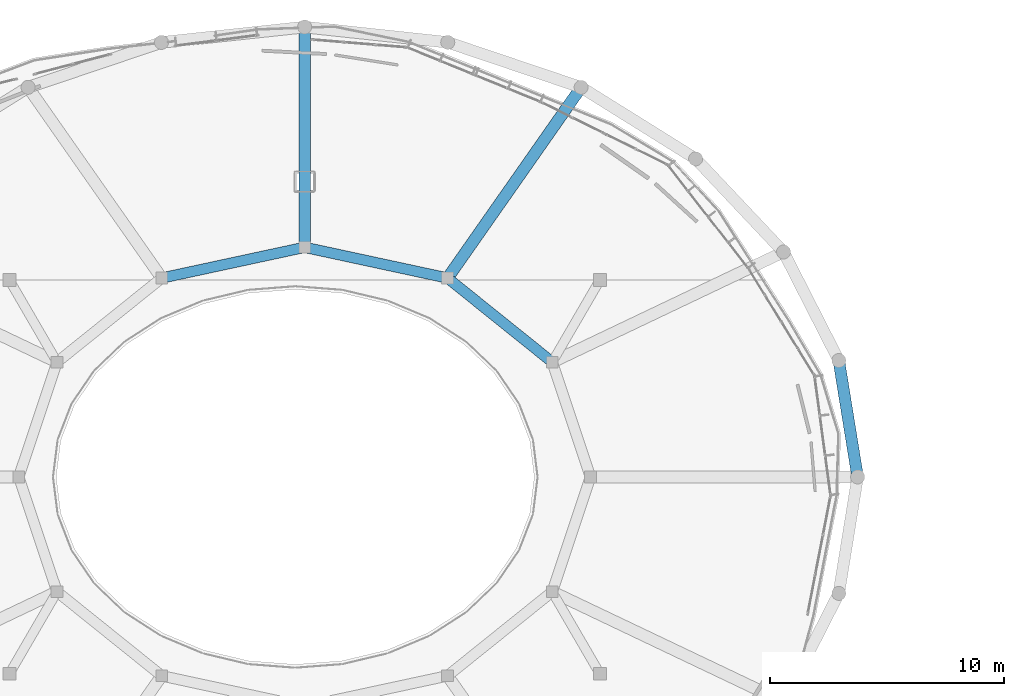
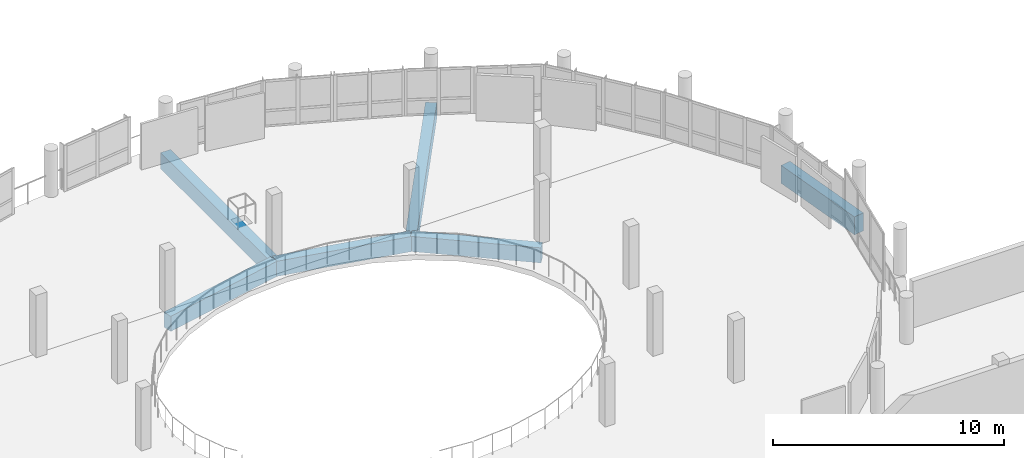
# One storey, part 20 of 43: 6 beams.
"""IFC4 building model written with IfcOpenShell, lengths in metres."""

from ifc_helpers import new_model, si_unit, derived_unit, direction, frame, origin, origin_2d, place, context, subcontext, project, spatial, rectangle, extrude, material, material_profile, profile_set, type_object, element, save


model = new_model("IFC4")

# Units and contexts
model_context = context("Model", 3, precision=1e-05, world=origin(), true_north=direction((0.0, 1.0)))
body_context = subcontext(model_context, "Body", "Model", "MODEL_VIEW")
ifc_project = project(units=[si_unit("LENGTHUNIT", "METRE"), si_unit("AREAUNIT", "SQUARE_METRE"), si_unit("VOLUMEUNIT", "CUBIC_METRE"), si_unit("PLANEANGLEUNIT", "RADIAN"), si_unit("MASSUNIT", "GRAM", prefix="KILO"), derived_unit("THERMALTRANSMITTANCEUNIT", [(si_unit("POWERUNIT", "WATT"), 1), (si_unit("LENGTHUNIT", "METRE"), -2), (si_unit("THERMODYNAMICTEMPERATUREUNIT", "KELVIN"), -1)])], contexts=[model_context])

# Site, building, storey
site_placement = place(None, origin())
site = spatial("IfcSite", under=ifc_project, at=site_placement, CompositionType="ELEMENT")
building_placement = place(site_placement, origin())
building = spatial("IfcBuilding", under=site, at=building_placement, Name="Elbkamm Science Centre", CompositionType="ELEMENT")
storey_placement = place(building_placement, frame((0.0, 0.0, 18.300048828125)))
storey = spatial("IfcBuildingStorey", under=building, at=storey_placement, Name="L04", CompositionType="ELEMENT", Elevation=18.300048828125)

# Beams
ifc_material = material(Name="Concrete C40/50", Category="concrete")
ifc_material_profile_1 = material_profile(ifc_material, rectangle(XDim=0.449951171875, YDim=0.800048828125, at=origin_2d()), Name="RC 450x800")
ifc_profile_set_1 = profile_set([ifc_material_profile_1], Name="Concrete C40/50")
beam_type_1 = type_object("IfcBeamType", Name="BM-RC-450x800", PredefinedType="BEAM", material=ifc_profile_set_1)
beam_1_placement = place(storey_placement, frame((73.56591796875, 72.10009765625, -0.679931640625), z_axis=(-0.779653109273, 0.626211648887, 0.0), x_axis=(-0.626211648887, -0.779653109273, 0.0)))
element("IfcBeam", 1, at=beam_1_placement, inside=storey, type_object=beam_type_1, Name="L04 Atrium Ring Girder 02", PredefinedType="BEAM", context=body_context, shape_type="SweptSolid", body=[
    extrude(rectangle(XDim=0.449951171875, YDim=0.800048828125, at=origin_2d()), origin(), (0.0, 0.0, 1.0), 5.72802734375),
])
for number, where, z_axis, x_axis, name in (
    (2, (69.10009765625, 75.68701171875, -0.679931640625), (-0.97761076487, 0.210421463759, 0.0), (-0.210421463759, -0.97761076487, 0.0), "L04 Atrium Ring Girder 03"),
    (3, (63.0, 77.0, -0.679931640625), (-0.97761076487, -0.210421463759, 0.0), (0.210421463759, -0.97761076487, 0.0), "L04 Atrium Ring Girder 04"),
):
    element("IfcBeam", number, at=place(storey_placement, frame(where, z_axis=z_axis, x_axis=x_axis)), inside=storey, type_object=beam_type_1, Name=name, PredefinedType="BEAM", context=body_context, shape_type="SweptSolid", body=[
        extrude(rectangle(XDim=0.449951171875, YDim=0.800048828125, at=origin_2d()), origin(), (0.0, 0.0, 1.0), 6.23974609375),
    ])
ifc_material_profile_2 = material_profile(ifc_material, rectangle(XDim=0.5, YDim=0.85009765625, at=origin_2d()), Name="RC 500x850")
ifc_profile_set_2 = profile_set([ifc_material_profile_2], Name="Concrete C40/50")
beam_type_2 = type_object("IfcBeamType", Name="BM-RC-500x850", PredefinedType="BEAM", material=ifc_profile_set_2)
beam_2_placement = place(storey_placement, frame((69.10009765625, 75.68701171875, -0.705078125), z_axis=(0.573553022395, 0.819168438419, 0.0), x_axis=(-0.819168438419, 0.573553022395, 0.0)))
element("IfcBeam", 4, at=beam_2_placement, inside=storey, type_object=beam_type_2, Name="L04 Elliptical Radial Girder 03", PredefinedType="BEAM", context=body_context, shape_type="SweptSolid", body=[
    extrude(rectangle(XDim=0.5, YDim=0.85009765625, at=origin_2d()), origin(), (0.0, 0.0, 1.0), 9.93798828125),
])
beam_3_placement = place(storey_placement, frame((63.0, 77.0, -0.705078125), z_axis=(0.0, 1.0, 0.0), x_axis=(-1.0, 0.0, 0.0)))
element("IfcBeam", 5, at=beam_3_placement, inside=storey, type_object=beam_type_2, Name="L04 Elliptical Radial Girder 04", PredefinedType="BEAM", context=body_context, shape_type="SweptSolid", body=[
    extrude(rectangle(XDim=0.5, YDim=0.85009765625, at=origin_2d()), origin(), (0.0, 0.0, 1.0), 9.39990234375),
])
ifc_material_profile_3 = material_profile(ifc_material, rectangle(XDim=0.5, YDim=0.949951171875, at=origin_2d()), Name="RC 500x950")
ifc_profile_set_3 = profile_set([ifc_material_profile_3], Name="Concrete C40/50")
beam_type_3 = type_object("IfcBeamType", Name="BM-RC-500x950", PredefinedType="BEAM", material=ifc_profile_set_3)
beam_4_placement = place(storey_placement, frame((86.60009765625, 67.199951171875, -0.755126953125), z_axis=(-0.15976460627, 0.987155140078, 0.0), x_axis=(-0.987155140078, -0.15976460627, 0.0)))
element("IfcBeam", 6, at=beam_4_placement, inside=storey, type_object=beam_type_3, Name="L04 Elliptical Shell Perimeter Ring Beam 01", PredefinedType="SPANDREL", context=body_context, shape_type="SweptSolid", body=[
    extrude(rectangle(XDim=0.5, YDim=0.949951171875, at=origin_2d()), origin(), (0.0, 0.0, 1.0), 5.03369140625),
])

save(model, "model.ifc")
